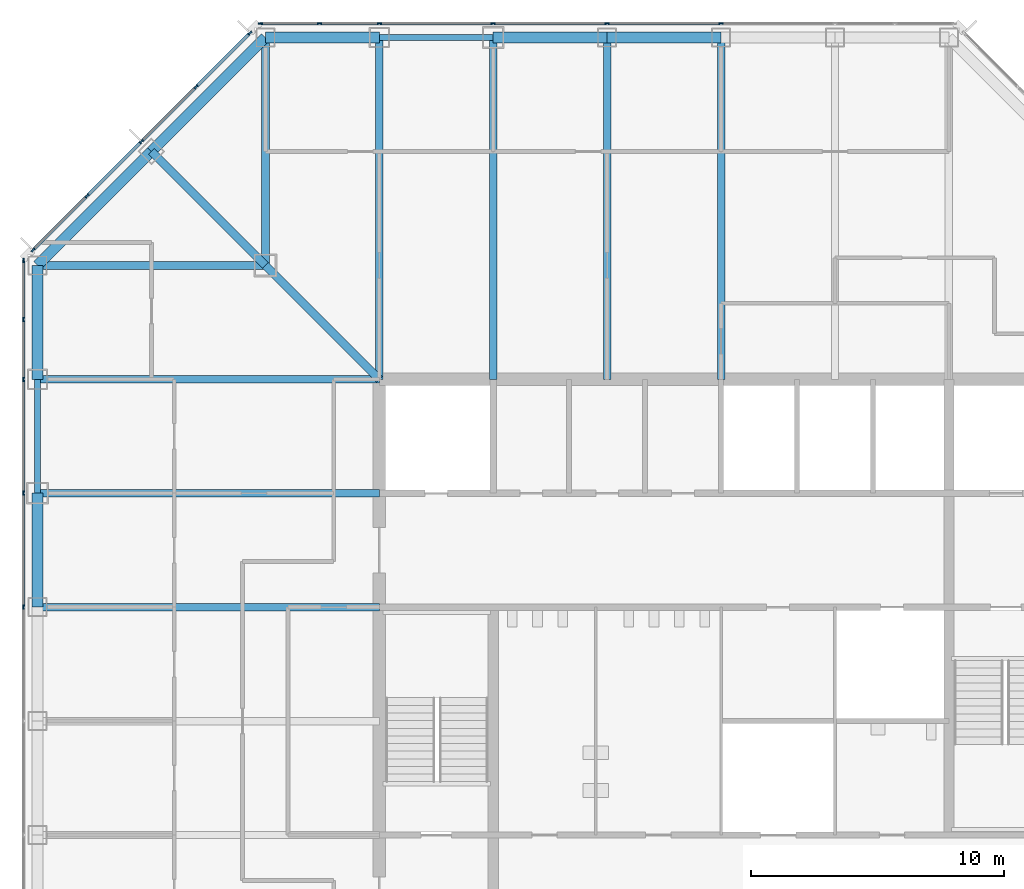
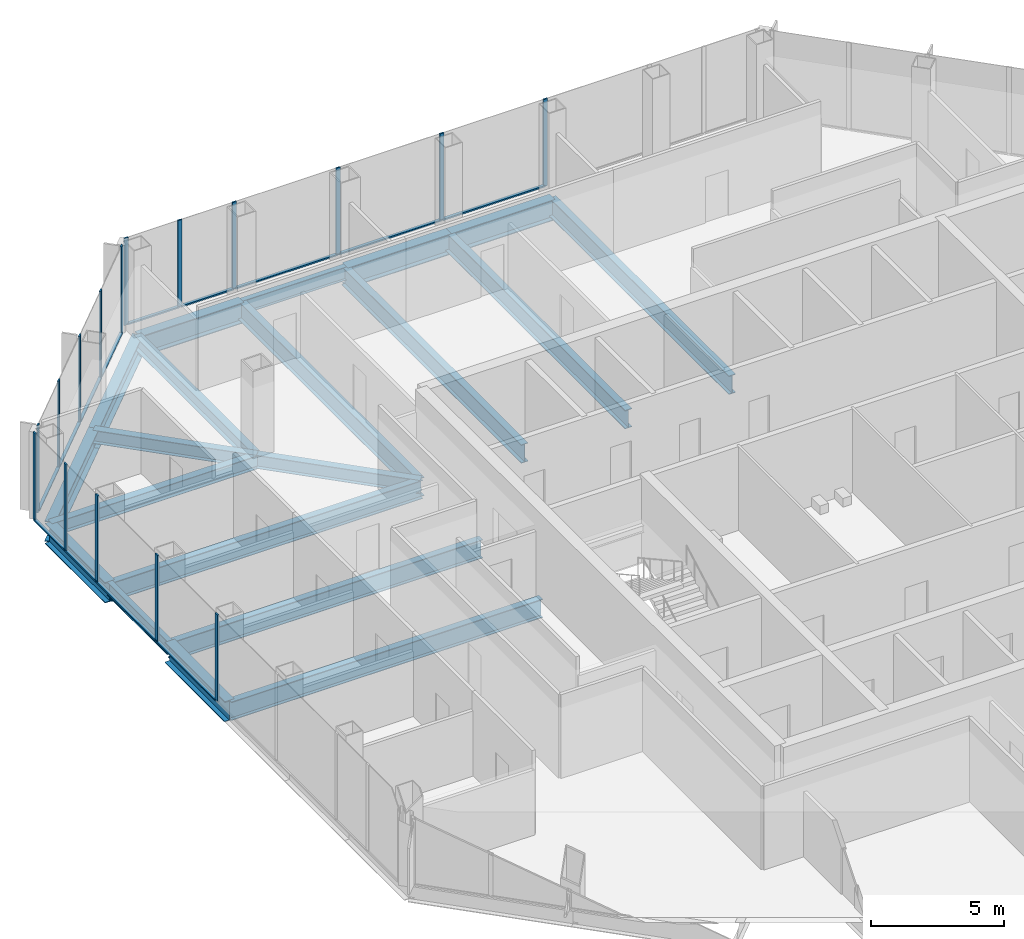
# One storey, part 5 of 13: 29 members, 20 beams, 3 elements without a shape of their own.
"""IFC4 building model written with IfcOpenShell, lengths in metres."""

import ifcopenshell
import ifcopenshell.guid

model = None  # the IFC model being written
_history = None  # IfcOwnerHistory: only IFC2X3 demands one
_inside = {}  # id of a spatial element -> (the spatial element, [elements in it])
_under = {}  # id of a project, library or spatial element -> (it, [spatial elements below it])
_declared = {}  # id of a project -> (the project, [libraries it declares])
_typed = {}  # id of a type object -> (the type object, [elements of that type])
_made_of = {}  # id of a material, layer set ... -> (it, [elements and type objects made of it])


def new_model(schema):
    """Start an empty IFC model of exactly this schema.

    Asked for "IFC4X3", IfcOpenShell would pick the latest addendum, in which some entities
    have other attributes; the version numbers below select the first issue.
    IFC2X3 requires an IfcOwnerHistory on every rooted entity: one is made here for all.
    """
    global model, _history
    if schema == "IFC4X3":
        model = ifcopenshell.file(schema_version=(4, 3, 0, 0))
    else:
        model = ifcopenshell.file(schema=schema)
    _inside.clear()
    _under.clear()
    _declared.clear()
    _typed.clear()
    _made_of.clear()
    _history = None
    if model.schema == "IFC2X3":
        org = make("IfcOrganization", Name="unknown")
        user = make(
            "IfcPersonAndOrganization",
            ThePerson=make("IfcPerson", FamilyName="unknown"),
            TheOrganization=org,
        )
        app = make(
            "IfcApplication",
            ApplicationDeveloper=org,
            Version="unknown",
            ApplicationFullName="unknown",
            ApplicationIdentifier="unknown",
        )
        _history = make(
            "IfcOwnerHistory",
            OwningUser=user,
            OwningApplication=app,
            ChangeAction="ADDED",
            CreationDate=0,
        )
    return model


def make(cls, **values):
    """One entity of the class cls with the attributes given. An attribute that is None is left unset."""
    return model.create_entity(
        cls, **{name: value for name, value in values.items() if value is not None}
    )


def rooted(cls, **values):
    """An entity with a GlobalId (a new one), such as an element, a storey or a relation."""
    return make(cls, GlobalId=ifcopenshell.guid.new(), OwnerHistory=_history, **values)


def si_unit(unit_type, name, prefix=None):
    """IfcSIUnit, for example si_unit("LENGTHUNIT", "METRE", prefix="MILLI")."""
    return make("IfcSIUnit", UnitType=unit_type, Prefix=prefix, Name=name)


def assignment(units):
    """IfcUnitAssignment: the units of a project."""
    return None if units is None else make("IfcUnitAssignment", Units=units)


def point(xyz):
    """IfcCartesianPoint."""
    return None if xyz is None else make("IfcCartesianPoint", Coordinates=xyz)


def direction(xyz):
    """IfcDirection."""
    return None if xyz is None else make("IfcDirection", DirectionRatios=xyz)


def frame(location, z_axis=None, x_axis=None):
    """IfcAxis2Placement3D, a coordinate frame: its origin and axes. An axis left out is left unset."""
    return make(
        "IfcAxis2Placement3D",
        Location=point(location),
        Axis=direction(z_axis),
        RefDirection=direction(x_axis),
    )


def frame_2d(location, x_axis=None):
    """IfcAxis2Placement2D, a coordinate frame in the plane: its origin and x axis."""
    return make(
        "IfcAxis2Placement2D", Location=point(location), RefDirection=direction(x_axis)
    )


def origin():
    """The frame at (0, 0, 0) with its axes left unset."""
    return frame((0.0, 0.0, 0.0))


def origin_2d():
    """The frame at (0, 0) in the plane with its x axis left unset."""
    return frame_2d((0.0, 0.0))


def place(relative_to, where):
    """IfcLocalPlacement: puts the frame where relative to a parent placement (None: the world)."""
    return make(
        "IfcLocalPlacement", PlacementRelTo=relative_to, RelativePlacement=where
    )


def context(
    kind, dimensions, precision=None, world=None, true_north=None, identifier=None
):
    """IfcGeometricRepresentationContext, for example the 3D "Model" context."""
    return make(
        "IfcGeometricRepresentationContext",
        ContextIdentifier=identifier,
        ContextType=kind,
        CoordinateSpaceDimension=dimensions,
        Precision=precision,
        WorldCoordinateSystem=world,
        TrueNorth=true_north,
    )


def subcontext(parent, identifier, kind, view, scale=None):
    """IfcGeometricRepresentationSubContext, for example "Body" below "Model"."""
    return make(
        "IfcGeometricRepresentationSubContext",
        ContextIdentifier=identifier,
        ContextType=kind,
        ParentContext=parent,
        TargetScale=scale,
        TargetView=view,
    )


def project(units=None, contexts=None):
    """IfcProject with its units and contexts."""
    return rooted(
        "IfcProject",
        Name="project",
        RepresentationContexts=contexts,
        UnitsInContext=assignment(units),
    )


def spatial(cls, under=None, at=None, **own):
    """A site, building, storey or space (cls), placed at a placement, below another one or the project."""
    s = rooted(cls, ObjectPlacement=at, **own)
    if under is not None:
        _under.setdefault(under.id(), (under, []))[1].append(s)
    return s


def profile(cls, at=None, kind="AREA", **sizes):
    """A parametric profile (cls). Its sizes go by their IFC names, for example OverallWidth=200.0."""
    return make(cls, ProfileType=kind, Position=at, **sizes)


def rectangle(**sizes):
    """IfcRectangleProfileDef."""
    return profile("IfcRectangleProfileDef", **sizes)


def i_section(**sizes):
    """IfcIShapeProfileDef."""
    return profile("IfcIShapeProfileDef", **sizes)


def extrude(swept, where, along, depth):
    """IfcExtrudedAreaSolid: the profile swept, set in the frame where, extruded along a direction by depth."""
    return make(
        "IfcExtrudedAreaSolid",
        SweptArea=swept,
        Position=where,
        ExtrudedDirection=direction(along),
        Depth=depth,
    )


def shape(context_of_items, identifier, shape_type, items):
    """IfcShapeRepresentation: the items that make up one representation, for example the "Body"."""
    return make(
        "IfcShapeRepresentation",
        ContextOfItems=context_of_items,
        RepresentationIdentifier=identifier,
        RepresentationType=shape_type,
        Items=items,
    )


def material(Name=None, Category=None):
    """IfcMaterial."""
    return make("IfcMaterial", Name=Name, Category=Category)


def material_profile(
    of_material, cross_section, Name=None, Category=None, Priority=None
):
    """IfcMaterialProfile: a cross section and its material."""
    return make(
        "IfcMaterialProfile",
        Name=Name,
        Material=of_material,
        Profile=cross_section,
        Priority=Priority,
        Category=Category,
    )


def profile_set(profiles, Name=None, composite=None):
    """IfcMaterialProfileSet."""
    return make(
        "IfcMaterialProfileSet",
        Name=Name,
        MaterialProfiles=profiles,
        CompositeProfile=composite,
    )


def made_of(thing, what):
    """Note that an element or type object is made of a material, layer set ...; save() writes the relation."""
    if what is not None:
        _made_of.setdefault(what.id(), (what, []))[1].append(thing)
    return thing


def type_object(cls, material=None, **own):
    """A type object (cls), such as IfcWallType, which elements share."""
    return made_of(rooted(cls, **own), material)


def element(
    cls,
    number,
    at=None,
    inside=None,
    cuts=None,
    type_object=None,
    material=None,
    context=None,
    identifier="Body",
    shape_type=None,
    held_by="IfcProductDefinitionShape",
    body=None,
    shapes=None,
    **own,
):
    """One element of the class cls, such as IfcWall. Its Tag is "e" and its number.

    at: its placement. inside: the storey or other place that contains it. cuts: it is an
    opening in that element (IfcRelVoidsElement). A single representation is given by context,
    identifier, shape_type and body (its items); several are given by shapes. held_by: the class
    of the entity that holds the representations. save() writes the other relations.
    """
    e = rooted(cls, Tag="e%d" % number, ObjectPlacement=at, **own)
    if body is not None:
        shapes = [shape(context, identifier, shape_type, body)]
    if shapes is not None:
        e.Representation = make(held_by, Representations=shapes)
    if inside is not None:
        _inside.setdefault(inside.id(), (inside, []))[1].append(e)
    if cuts is not None:
        rooted(
            "IfcRelVoidsElement", RelatingBuildingElement=cuts, RelatedOpeningElement=e
        )
    if type_object is not None:
        _typed.setdefault(type_object.id(), (type_object, []))[1].append(e)
    return made_of(e, material)


def aggregate(whole, parts):
    """IfcRelAggregates: a whole, such as a stair, and the parts it consists of."""
    return rooted("IfcRelAggregates", RelatingObject=whole, RelatedObjects=parts)


def save(model, path):
    """Write the relations noted so far, then the file.

    IfcRelAggregates (storeys below a building ...), IfcRelContainedInSpatialStructure (elements
    in a storey), IfcRelDefinesByType, IfcRelAssociatesMaterial and IfcRelDeclares: one each for
    every whole, place, type object, material and project.
    """
    for whole, parts in _under.values():
        aggregate(whole, parts)
    for where, things in _inside.values():
        rooted(
            "IfcRelContainedInSpatialStructure",
            RelatedElements=things,
            RelatingStructure=where,
        )
    for kind, things in _typed.values():
        rooted("IfcRelDefinesByType", RelatedObjects=things, RelatingType=kind)
    for what, things in _made_of.values():
        rooted("IfcRelAssociatesMaterial", RelatedObjects=things, RelatingMaterial=what)
    for by, libraries in _declared.values():
        rooted("IfcRelDeclares", RelatingContext=by, RelatedDefinitions=libraries)
    model.write(path)


model = new_model("IFC4")

# Units and contexts
model_context = context("Model", 3, precision=1e-05, world=origin(), true_north=direction((0.0, 1.0)))
body_context = subcontext(model_context, "Body", "Model", "MODEL_VIEW")
ifc_project = project(units=[si_unit("LENGTHUNIT", "METRE"), si_unit("AREAUNIT", "SQUARE_METRE"), si_unit("VOLUMEUNIT", "CUBIC_METRE"), si_unit("PLANEANGLEUNIT", "RADIAN"), si_unit("MASSUNIT", "GRAM", prefix="KILO")], contexts=[model_context])

# Site, building, storey
site_placement = place(None, origin())
site = spatial("IfcSite", under=ifc_project, at=site_placement, CompositionType="ELEMENT")
building_placement = place(site_placement, origin())
building = spatial("IfcBuilding", under=site, at=building_placement, Name="Corais Broadcast Tower", CompositionType="ELEMENT")
storey_placement = place(building_placement, frame((0.0, 0.0, 191.60009765625)))
storey = spatial("IfcBuildingStorey", under=building, at=storey_placement, Name="L44", CompositionType="ELEMENT", Elevation=191.60009765625)

# Beams
ifc_material_1 = material(Name="Steel ASTM A572 Grade 50", Category="steel")
ifc_material_profile_1 = material_profile(ifc_material_1, i_section(OverallWidth=0.323974609375, OverallDepth=0.611083984375, WebThickness=0.0126953125, FlangeThickness=0.01904296875, at=origin_2d()), Name="W610x155")
ifc_profile_set_1 = profile_set([ifc_material_profile_1], Name="Steel ASTM A572 Grade 50")
beam_type_1 = type_object("IfcBeamType", Name="Chamfer tie W610x155", PredefinedType="BEAM", material=ifc_profile_set_1)
beam_1_placement = place(storey_placement, frame((4.5, 49.5, -0.465576171875), z_axis=(0.707106781187, -0.707106781187, 0.0), x_axis=(0.707106781187, 0.707106781187, 0.0)))
element("IfcBeam", 1, at=beam_1_placement, inside=storey, type_object=beam_type_1, Name="B5 M/4 to L/5", PredefinedType="BEAM", context=body_context, shape_type="SweptSolid", body=[
    extrude(i_section(OverallWidth=0.323974609375, OverallDepth=0.611083984375, WebThickness=0.0126953125, FlangeThickness=0.01904296875, at=origin_2d()), origin(), (0.0, 0.0, 1.0), 6.364013671875),
])
ifc_material_2 = material(Name="Steel ASTM A572 Grade 50", Category="steel")
ifc_material_profile_2 = material_profile(ifc_material_2, i_section(OverallWidth=0.323974609375, OverallDepth=0.611083984375, WebThickness=0.0126953125, FlangeThickness=0.01904296875, at=origin_2d()), Name="W610x155")
ifc_profile_set_2 = profile_set([ifc_material_profile_2], Name="Steel ASTM A572 Grade 50")
beam_type_2 = type_object("IfcBeamType", Name="Corner diagonal W610x155", PredefinedType="BEAM", material=ifc_profile_set_2)
beam_2_placement = place(storey_placement, frame((9.0, 45.0, -0.465576171875), z_axis=(0.707106781187, -0.707106781187, 0.0), x_axis=(0.707106781187, 0.707106781187, 0.0)))
element("IfcBeam", 2, at=beam_2_placement, inside=storey, type_object=beam_type_2, Name="B6 L/5 to K/6", PredefinedType="BEAM", context=body_context, shape_type="SweptSolid", body=[
    extrude(i_section(OverallWidth=0.323974609375, OverallDepth=0.611083984375, WebThickness=0.0126953125, FlangeThickness=0.01904296875, at=origin_2d()), origin(), (0.0, 0.0, 1.0), 6.364013671875),
])
ifc_material_3 = material(Name="Steel ASTM A572 Grade 50", Category="steel")
ifc_material_profile_3 = material_profile(ifc_material_3, i_section(OverallWidth=0.323974609375, OverallDepth=0.611083984375, WebThickness=0.0126953125, FlangeThickness=0.01904296875, at=origin_2d()), Name="W610x155")
ifc_profile_set_3 = profile_set([ifc_material_profile_3], Name="Steel ASTM A572 Grade 50")
beam_type_3 = type_object("IfcBeamType", Name="Corner girder W610x155", PredefinedType="BEAM", material=ifc_profile_set_3)
for number, where, z_axis, x_axis, name in (
    (3, (0.0, 45.0, -0.465576171875), (1.0, 0.0, 0.0), (0.0, 1.0, 0.0), "B4 L/3 to L/5"),
    (4, (9.0, 54.0, -0.465576171875), (0.0, -1.0, 0.0), (1.0, 0.0, 0.0), "B4 N/5 to L/5"),
):
    element("IfcBeam", number, at=place(storey_placement, frame(where, z_axis=z_axis, x_axis=x_axis)), inside=storey, type_object=beam_type_3, Name=name, PredefinedType="BEAM", context=body_context, shape_type="SweptSolid", body=[
        extrude(i_section(OverallWidth=0.323974609375, OverallDepth=0.611083984375, WebThickness=0.0126953125, FlangeThickness=0.01904296875, at=origin_2d()), origin(), (0.0, 0.0, 1.0), 9.0),
    ])
ifc_material_4 = material(Name="Steel ASTM A572 Grade 50", Category="steel")
ifc_material_profile_4 = material_profile(ifc_material_4, i_section(OverallWidth=0.2939453125, OverallDepth=0.85107421875, WebThickness=0.01611328125, FlangeThickness=0.02685546875, at=origin_2d()), Name="W840x226")
ifc_profile_set_4 = profile_set([ifc_material_profile_4], Name="Steel ASTM A572 Grade 50")
beam_type_4 = type_object("IfcBeamType", Name="Floor beam W840x226", PredefinedType="BEAM", material=ifc_profile_set_4)
for number, where, z_axis, x_axis, name in (
    (5, (0.0, 31.5, -0.585693359375), (1.0, 0.0, 0.0), (0.0, 1.0, 0.0), "B1 H/3 to H/6"),
    (6, (0.0, 36.0, -0.585693359375), (1.0, 0.0, 0.0), (0.0, 1.0, 0.0), "B1 J/3 to J/6"),
    (7, (0.0, 40.5, -0.585693359375), (1.0, 0.0, 0.0), (0.0, 1.0, 0.0), "B1 K/3 to K/6"),
    (8, (13.5, 54.0, -0.585693359375), (0.0, -1.0, 0.0), (1.0, 0.0, 0.0), "B1 N/6 to K/6"),
    (9, (18.0, 54.0, -0.585693359375), (0.0, -1.0, 0.0), (1.0, 0.0, 0.0), "B1 N/7 to K/7"),
    (10, (22.5, 54.0, -0.585693359375), (0.0, -1.0, 0.0), (1.0, 0.0, 0.0), "B1 N/8 to K/8"),
    (11, (27.0, 54.0, -0.585693359375), (0.0, -1.0, 0.0), (1.0, 0.0, 0.0), "B1 N/9 to K/9"),
):
    element("IfcBeam", number, at=place(storey_placement, frame(where, z_axis=z_axis, x_axis=x_axis)), inside=storey, type_object=beam_type_4, Name=name, PredefinedType="BEAM", context=body_context, shape_type="SweptSolid", body=[
        extrude(i_section(OverallWidth=0.2939453125, OverallDepth=0.85107421875, WebThickness=0.01611328125, FlangeThickness=0.02685546875, at=origin_2d()), origin(), (0.0, 0.0, 1.0), 13.5),
    ])

# Curtain wall, members
ifc_material_5 = material(Name="Aluminium and glass", Category="aluminium")
curtain_wall_type = type_object("IfcCurtainWallType", Name="Unitised fritted curtain wall CW2", PredefinedType="NOTDEFINED", material=ifc_material_5)
curtain_wall_1_placement = place(storey_placement, origin())
curtain_wall_1 = element("IfcCurtainWall", 12, at=curtain_wall_1_placement, inside=storey, type_object=curtain_wall_type, Name="CW2 curtain wall L44 2", PredefinedType="NOTDEFINED")
ifc_material_6 = material(Name="Aluminium 6063-T6", Category="aluminium")
ifc_material_profile_5 = material_profile(ifc_material_6, rectangle(XDim=0.06494140625, YDim=0.179931640625, at=origin_2d()), Name="Mullion CW2 65x180")
ifc_profile_set_5 = profile_set([ifc_material_profile_5], Name="Aluminium 6063-T6")
member_type_1 = type_object("IfcMemberType", Name="Mullion CW2 65x180", PredefinedType="MULLION", material=ifc_profile_set_5)
member_1_placement = place(storey_placement, frame((-0.550048828125, 31.5, 0.0), z_axis=(0.0, 0.0, 1.0), x_axis=(-1.0, 0.0, 0.0)))
member_1 = element("IfcMember", 13, at=member_1_placement, type_object=member_type_1, Name="CW2 mullion 5", PredefinedType="MULLION", context=body_context, shape_type="SweptSolid", body=[
    extrude(rectangle(XDim=0.06494140625, YDim=0.179931640625, at=origin_2d()), origin(), (0.0, 0.0, 1.0), 4.0),
])
member_2_placement = place(storey_placement, frame((-0.550048828125, 36.0, 0.0), z_axis=(0.0, 0.0, 1.0), x_axis=(-1.0, 0.0, 0.0)))
member_2 = element("IfcMember", 14, at=member_2_placement, type_object=member_type_1, Name="CW2 mullion 6", PredefinedType="MULLION", context=body_context, shape_type="SweptSolid", body=[
    extrude(rectangle(XDim=0.06494140625, YDim=0.179931640625, at=origin_2d()), origin(), (0.0, 0.0, 1.0), 4.0),
])
member_3_placement = place(storey_placement, frame((-0.550048828125, 40.5, 0.0), z_axis=(0.0, 0.0, 1.0), x_axis=(-1.0, 0.0, 0.0)))
member_3 = element("IfcMember", 15, at=member_3_placement, type_object=member_type_1, Name="CW2 mullion 7", PredefinedType="MULLION", context=body_context, shape_type="SweptSolid", body=[
    extrude(rectangle(XDim=0.06494140625, YDim=0.179931640625, at=origin_2d()), origin(), (0.0, 0.0, 1.0), 4.0),
])
member_4_placement = place(storey_placement, frame((-0.550048828125, 42.864013671875, 0.0), z_axis=(0.0, 0.0, 1.0), x_axis=(-1.0, 0.0, 0.0)))
member_4 = element("IfcMember", 16, at=member_4_placement, type_object=member_type_1, Name="CW2 mullion 8", PredefinedType="MULLION", context=body_context, shape_type="SweptSolid", body=[
    extrude(rectangle(XDim=0.06494140625, YDim=0.179931640625, at=origin_2d()), origin(), (0.0, 0.0, 1.0), 4.0),
])
member_5_placement = place(storey_placement, frame((-0.550048828125, 45.1953125, 0.0), z_axis=(0.0, 0.0, 1.0), x_axis=(-1.0, 0.0, 0.0)))
member_5 = element("IfcMember", 17, at=member_5_placement, type_object=member_type_1, Name="CW2 mullion 9", PredefinedType="MULLION", context=body_context, shape_type="SweptSolid", body=[
    extrude(rectangle(XDim=0.06494140625, YDim=0.179931640625, at=origin_2d()), origin(), (0.0, 0.0, 1.0), 4.0),
])

curtain_wall_2_placement = place(storey_placement, origin())
curtain_wall_2 = element("IfcCurtainWall", 18, at=curtain_wall_2_placement, inside=storey, type_object=curtain_wall_type, Name="CW2 curtain wall L44 3", PredefinedType="NOTDEFINED")
member_6_placement = place(storey_placement, frame((-0.17333984375, 45.6044921875, 0.0), z_axis=(0.0, 0.0, 1.0), x_axis=(-0.707106781187, 0.707106781187, 0.0)))
member_6 = element("IfcMember", 19, at=member_6_placement, type_object=member_type_1, Name="CW2 mullion 1", PredefinedType="MULLION", context=body_context, shape_type="SweptSolid", body=[
    extrude(rectangle(XDim=0.06494140625, YDim=0.179931640625, at=origin_2d()), origin(), (0.0, 0.0, 1.0), 4.0),
])
member_7_placement = place(storey_placement, frame((1.957275390625, 47.735107421875, 0.0), z_axis=(0.0, 0.0, 1.0), x_axis=(-0.707106781187, 0.707106781187, 0.0)))
member_7 = element("IfcMember", 20, at=member_7_placement, type_object=member_type_1, Name="CW2 mullion 2", PredefinedType="MULLION", context=body_context, shape_type="SweptSolid", body=[
    extrude(rectangle(XDim=0.06494140625, YDim=0.179931640625, at=origin_2d()), origin(), (0.0, 0.0, 1.0), 4.0),
])
member_8_placement = place(storey_placement, frame((4.111083984375, 49.888916015625, 0.0), z_axis=(0.0, 0.0, 1.0), x_axis=(-0.707106781187, 0.707106781187, 0.0)))
member_8 = element("IfcMember", 21, at=member_8_placement, type_object=member_type_1, Name="CW2 mullion 3", PredefinedType="MULLION", context=body_context, shape_type="SweptSolid", body=[
    extrude(rectangle(XDim=0.06494140625, YDim=0.179931640625, at=origin_2d()), origin(), (0.0, 0.0, 1.0), 4.0),
])
member_9_placement = place(storey_placement, frame((6.264892578125, 52.042724609375, 0.0), z_axis=(0.0, 0.0, 1.0), x_axis=(-0.707106781187, 0.707106781187, 0.0)))
member_9 = element("IfcMember", 22, at=member_9_placement, type_object=member_type_1, Name="CW2 mullion 4", PredefinedType="MULLION", context=body_context, shape_type="SweptSolid", body=[
    extrude(rectangle(XDim=0.06494140625, YDim=0.179931640625, at=origin_2d()), origin(), (0.0, 0.0, 1.0), 4.0),
])
member_10_placement = place(storey_placement, frame((8.3955078125, 54.17333984375, 0.0), z_axis=(0.0, 0.0, 1.0), x_axis=(-0.707106781187, 0.707106781187, 0.0)))
member_10 = element("IfcMember", 23, at=member_10_placement, type_object=member_type_1, Name="CW2 mullion 5", PredefinedType="MULLION", context=body_context, shape_type="SweptSolid", body=[
    extrude(rectangle(XDim=0.06494140625, YDim=0.179931640625, at=origin_2d()), origin(), (0.0, 0.0, 1.0), 4.0),
])

curtain_wall_3_placement = place(storey_placement, origin())
curtain_wall_3 = element("IfcCurtainWall", 24, at=curtain_wall_3_placement, inside=storey, type_object=curtain_wall_type, Name="CW2 curtain wall L44 4", PredefinedType="NOTDEFINED")
member_11_placement = place(storey_placement, frame((8.8046875, 54.550048828125, 0.0), z_axis=(0.0, 0.0, 1.0), x_axis=(0.0, 1.0, 0.0)))
member_11 = element("IfcMember", 25, at=member_11_placement, type_object=member_type_1, Name="CW2 mullion 1", PredefinedType="MULLION", context=body_context, shape_type="SweptSolid", body=[
    extrude(rectangle(XDim=0.06494140625, YDim=0.179931640625, at=origin_2d()), origin(), (0.0, 0.0, 1.0), 4.0),
])
member_12_placement = place(storey_placement, frame((11.135986328125, 54.550048828125, 0.0), z_axis=(0.0, 0.0, 1.0), x_axis=(0.0, 1.0, 0.0)))
member_12 = element("IfcMember", 26, at=member_12_placement, type_object=member_type_1, Name="CW2 mullion 2", PredefinedType="MULLION", context=body_context, shape_type="SweptSolid", body=[
    extrude(rectangle(XDim=0.06494140625, YDim=0.179931640625, at=origin_2d()), origin(), (0.0, 0.0, 1.0), 4.0),
])
member_13_placement = place(storey_placement, frame((13.5, 54.550048828125, 0.0), z_axis=(0.0, 0.0, 1.0), x_axis=(0.0, 1.0, 0.0)))
member_13 = element("IfcMember", 27, at=member_13_placement, type_object=member_type_1, Name="CW2 mullion 3", PredefinedType="MULLION", context=body_context, shape_type="SweptSolid", body=[
    extrude(rectangle(XDim=0.06494140625, YDim=0.179931640625, at=origin_2d()), origin(), (0.0, 0.0, 1.0), 4.0),
])
member_14_placement = place(storey_placement, frame((18.0, 54.550048828125, 0.0), z_axis=(0.0, 0.0, 1.0), x_axis=(0.0, 1.0, 0.0)))
member_14 = element("IfcMember", 28, at=member_14_placement, type_object=member_type_1, Name="CW2 mullion 4", PredefinedType="MULLION", context=body_context, shape_type="SweptSolid", body=[
    extrude(rectangle(XDim=0.06494140625, YDim=0.179931640625, at=origin_2d()), origin(), (0.0, 0.0, 1.0), 4.0),
])
member_15_placement = place(storey_placement, frame((22.5, 54.550048828125, 0.0), z_axis=(0.0, 0.0, 1.0), x_axis=(0.0, 1.0, 0.0)))
member_15 = element("IfcMember", 29, at=member_15_placement, type_object=member_type_1, Name="CW2 mullion 5", PredefinedType="MULLION", context=body_context, shape_type="SweptSolid", body=[
    extrude(rectangle(XDim=0.06494140625, YDim=0.179931640625, at=origin_2d()), origin(), (0.0, 0.0, 1.0), 4.0),
])
member_16_placement = place(storey_placement, frame((27.0, 54.550048828125, 0.0), z_axis=(0.0, 0.0, 1.0), x_axis=(0.0, 1.0, 0.0)))
member_16 = element("IfcMember", 30, at=member_16_placement, type_object=member_type_1, Name="CW2 mullion 6", PredefinedType="MULLION", context=body_context, shape_type="SweptSolid", body=[
    extrude(rectangle(XDim=0.06494140625, YDim=0.179931640625, at=origin_2d()), origin(), (0.0, 0.0, 1.0), 4.0),
])

# Beams
ifc_material_7 = material(Name="Steel ASTM A572 Grade 50", Category="steel")
ifc_material_profile_6 = material_profile(ifc_material_7, i_section(OverallWidth=0.22900390625, OverallDepth=0.612060546875, WebThickness=0.011962890625, FlangeThickness=0.01953125, at=origin_2d()), Name="W610x125")
ifc_profile_set_6 = profile_set([ifc_material_profile_6], Name="Steel ASTM A572 Grade 50")
beam_type_5 = type_object("IfcBeamType", Name="Pinned spandrel W610x125", PredefinedType="BEAM", material=ifc_profile_set_6)
for number, where, z_axis, x_axis, name in (
    (31, (0.0, 40.5, -0.466064453125), (0.0, -1.0, 0.0), (1.0, 0.0, 0.0), "SB7 K/3 to J/3"),
    (32, (18.0, 54.0, -0.466064453125), (-1.0, 0.0, 0.0), (0.0, -1.0, 0.0), "SB7 N/7 to N/6"),
):
    element("IfcBeam", number, at=place(storey_placement, frame(where, z_axis=z_axis, x_axis=x_axis)), inside=storey, type_object=beam_type_5, Name=name, PredefinedType="BEAM", context=body_context, shape_type="SweptSolid", body=[
        extrude(i_section(OverallWidth=0.22900390625, OverallDepth=0.612060546875, WebThickness=0.011962890625, FlangeThickness=0.01953125, at=origin_2d()), origin(), (0.0, 0.0, 1.0), 4.5),
    ])
ifc_material_8 = material(Name="Steel ASTM A572 Grade 50", Category="steel")
ifc_material_profile_7 = material_profile(ifc_material_8, i_section(OverallWidth=0.4189453125, OverallDepth=0.94189453125, WebThickness=0.022216796875, FlangeThickness=0.03662109375, at=origin_2d()), Name="W920x345")
ifc_profile_set_7 = profile_set([ifc_material_profile_7], Name="Steel ASTM A572 Grade 50")
beam_type_6 = type_object("IfcBeamType", Name="Transfer spandrel W920x345", PredefinedType="BEAM", material=ifc_profile_set_7)
for number, where, z_axis, x_axis, name in (
    (33, (0.0, 36.0, -0.631103515625), (0.0, -1.0, 0.0), (1.0, 0.0, 0.0), "SB4 J/3 to H/3"),
    (34, (0.0, 45.0, -0.631103515625), (0.0, -1.0, 0.0), (1.0, 0.0, 0.0), "SB4 L/3 to K/3"),
    (35, (13.5, 54.0, -0.631103515625), (-1.0, 0.0, 0.0), (0.0, -1.0, 0.0), "SB4 N/6 to N/5"),
    (36, (22.5, 54.0, -0.631103515625), (-1.0, 0.0, 0.0), (0.0, -1.0, 0.0), "SB4 N/8 to N/7"),
    (37, (27.0, 54.0, -0.631103515625), (-1.0, 0.0, 0.0), (0.0, -1.0, 0.0), "SB4 N/9 to N/8"),
):
    element("IfcBeam", number, at=place(storey_placement, frame(where, z_axis=z_axis, x_axis=x_axis)), inside=storey, type_object=beam_type_6, Name=name, PredefinedType="BEAM", context=body_context, shape_type="SweptSolid", body=[
        extrude(i_section(OverallWidth=0.4189453125, OverallDepth=0.94189453125, WebThickness=0.022216796875, FlangeThickness=0.03662109375, at=origin_2d()), origin(), (0.0, 0.0, 1.0), 4.5),
    ])
for number, where, z_axis, x_axis, name in (
    (38, (4.5, 49.5, -0.631103515625), (-0.707106781187, -0.707106781187, 0.0), (0.707106781187, -0.707106781187, 0.0), "SB4 M/4 to L/3"),
    (39, (9.0, 54.0, -0.631103515625), (-0.707106781187, -0.707106781187, 0.0), (0.707106781187, -0.707106781187, 0.0), "SB4 N/5 to M/4"),
):
    element("IfcBeam", number, at=place(storey_placement, frame(where, z_axis=z_axis, x_axis=x_axis)), inside=storey, type_object=beam_type_6, Name=name, PredefinedType="BEAM", context=body_context, shape_type="SweptSolid", body=[
        extrude(i_section(OverallWidth=0.4189453125, OverallDepth=0.94189453125, WebThickness=0.022216796875, FlangeThickness=0.03662109375, at=origin_2d()), origin(), (0.0, 0.0, 1.0), 6.364013671875),
    ])

# Member
ifc_material_9 = material(Name="Aluminium 6063-T6", Category="aluminium")
ifc_material_profile_8 = material_profile(ifc_material_9, rectangle(XDim=0.1298828125, YDim=0.06494140625, at=origin_2d()), Name="Transom CW2 65x130")
ifc_profile_set_8 = profile_set([ifc_material_profile_8], Name="Aluminium 6063-T6")
member_type_2 = type_object("IfcMemberType", Name="Transom CW2 65x130", PredefinedType="USERDEFINED", material=ifc_profile_set_8)
member_17_placement = place(storey_placement, frame((-0.550048828125, 31.532470703125, 0.032470703125), z_axis=(0.0, 1.0, 0.0), x_axis=(-1.0, 0.0, 0.0)))
member_17 = element("IfcMember", 40, at=member_17_placement, type_object=member_type_2, Name="CW2 transom 5.1", ObjectType="TRANSOM", PredefinedType="USERDEFINED", context=body_context, shape_type="SweptSolid", body=[
    extrude(rectangle(XDim=0.1298828125, YDim=0.06494140625, at=origin_2d()), origin(), (0.0, 0.0, 1.0), 4.43505859375),
])

member_18_placement = place(storey_placement, frame((-0.550048828125, 36.032470703125, 0.032470703125), z_axis=(0.0, 1.0, 0.0), x_axis=(-1.0, 0.0, 0.0)))
member_18 = element("IfcMember", 41, at=member_18_placement, type_object=member_type_2, Name="CW2 transom 6.1", ObjectType="TRANSOM", PredefinedType="USERDEFINED", context=body_context, shape_type="SweptSolid", body=[
    extrude(rectangle(XDim=0.1298828125, YDim=0.06494140625, at=origin_2d()), origin(), (0.0, 0.0, 1.0), 4.43505859375),
])

member_19_placement = place(storey_placement, frame((-0.550048828125, 40.532470703125, 0.032470703125), z_axis=(0.0, 1.0, 0.0), x_axis=(-1.0, 0.0, 0.0)))
member_19 = element("IfcMember", 42, at=member_19_placement, type_object=member_type_2, Name="CW2 transom 7.1", ObjectType="TRANSOM", PredefinedType="USERDEFINED", context=body_context, shape_type="SweptSolid", body=[
    extrude(rectangle(XDim=0.1298828125, YDim=0.06494140625, at=origin_2d()), origin(), (0.0, 0.0, 1.0), 2.298828125),
])

member_20_placement = place(storey_placement, frame((-0.550048828125, 42.896484375, 0.032470703125), z_axis=(0.0, 1.0, 0.0), x_axis=(-1.0, 0.0, 0.0)))
member_20 = element("IfcMember", 43, at=member_20_placement, type_object=member_type_2, Name="CW2 transom 8.1", ObjectType="TRANSOM", PredefinedType="USERDEFINED", context=body_context, shape_type="SweptSolid", body=[
    extrude(rectangle(XDim=0.1298828125, YDim=0.06494140625, at=origin_2d()), origin(), (0.0, 0.0, 1.0), 2.266357421875),
])

aggregate(curtain_wall_1, [member_1, member_2, member_3, member_4, member_5, member_17, member_18, member_19, member_20])

member_21_placement = place(storey_placement, frame((-0.150390625, 45.62744140625, 0.032470703125), z_axis=(0.707106781187, 0.707106781187, 0.0), x_axis=(-0.707106781187, 0.707106781187, 0.0)))
member_21 = element("IfcMember", 44, at=member_21_placement, type_object=member_type_2, Name="CW2 transom 1.1", ObjectType="TRANSOM", PredefinedType="USERDEFINED", context=body_context, shape_type="SweptSolid", body=[
    extrude(rectangle(XDim=0.1298828125, YDim=0.06494140625, at=origin_2d()), origin(), (0.0, 0.0, 1.0), 2.9482421875),
])

member_22_placement = place(storey_placement, frame((1.980224609375, 47.758056640625, 0.032470703125), z_axis=(0.707106781187, 0.707106781187, 0.0), x_axis=(-0.707106781187, 0.707106781187, 0.0)))
member_22 = element("IfcMember", 45, at=member_22_placement, type_object=member_type_2, Name="CW2 transom 2.1", ObjectType="TRANSOM", PredefinedType="USERDEFINED", context=body_context, shape_type="SweptSolid", body=[
    extrude(rectangle(XDim=0.1298828125, YDim=0.06494140625, at=origin_2d()), origin(), (0.0, 0.0, 1.0), 2.98095703125),
])

member_23_placement = place(storey_placement, frame((4.134033203125, 49.911865234375, 0.032470703125), z_axis=(0.707106781187, 0.707106781187, 0.0), x_axis=(-0.707106781187, 0.707106781187, 0.0)))
member_23 = element("IfcMember", 46, at=member_23_placement, type_object=member_type_2, Name="CW2 transom 3.1", ObjectType="TRANSOM", PredefinedType="USERDEFINED", context=body_context, shape_type="SweptSolid", body=[
    extrude(rectangle(XDim=0.1298828125, YDim=0.06494140625, at=origin_2d()), origin(), (0.0, 0.0, 1.0), 2.98095703125),
])

member_24_placement = place(storey_placement, frame((6.287841796875, 52.065673828125, 0.032470703125), z_axis=(0.707106781187, 0.707106781187, 0.0), x_axis=(-0.707106781187, 0.707106781187, 0.0)))
member_24 = element("IfcMember", 47, at=member_24_placement, type_object=member_type_2, Name="CW2 transom 4.1", ObjectType="TRANSOM", PredefinedType="USERDEFINED", context=body_context, shape_type="SweptSolid", body=[
    extrude(rectangle(XDim=0.1298828125, YDim=0.06494140625, at=origin_2d()), origin(), (0.0, 0.0, 1.0), 2.9482421875),
])

aggregate(curtain_wall_2, [member_6, member_7, member_8, member_9, member_10, member_21, member_22, member_23, member_24])

member_25_placement = place(storey_placement, frame((8.837158203125, 54.550048828125, 0.032470703125), z_axis=(1.0, 0.0, 0.0), x_axis=(0.0, 1.0, 0.0)))
member_25 = element("IfcMember", 48, at=member_25_placement, type_object=member_type_2, Name="CW2 transom 1.1", ObjectType="TRANSOM", PredefinedType="USERDEFINED", context=body_context, shape_type="SweptSolid", body=[
    extrude(rectangle(XDim=0.1298828125, YDim=0.06494140625, at=origin_2d()), origin(), (0.0, 0.0, 1.0), 2.266357421875),
])

member_26_placement = place(storey_placement, frame((11.168701171875, 54.550048828125, 0.032470703125), z_axis=(1.0, 0.0, 0.0), x_axis=(0.0, 1.0, 0.0)))
member_26 = element("IfcMember", 49, at=member_26_placement, type_object=member_type_2, Name="CW2 transom 2.1", ObjectType="TRANSOM", PredefinedType="USERDEFINED", context=body_context, shape_type="SweptSolid", body=[
    extrude(rectangle(XDim=0.1298828125, YDim=0.06494140625, at=origin_2d()), origin(), (0.0, 0.0, 1.0), 2.298828125),
])

member_27_placement = place(storey_placement, frame((13.532470703125, 54.550048828125, 0.032470703125), z_axis=(1.0, 0.0, 0.0), x_axis=(0.0, 1.0, 0.0)))
member_27 = element("IfcMember", 50, at=member_27_placement, type_object=member_type_2, Name="CW2 transom 3.1", ObjectType="TRANSOM", PredefinedType="USERDEFINED", context=body_context, shape_type="SweptSolid", body=[
    extrude(rectangle(XDim=0.1298828125, YDim=0.06494140625, at=origin_2d()), origin(), (0.0, 0.0, 1.0), 4.43505859375),
])

member_28_placement = place(storey_placement, frame((18.032470703125, 54.550048828125, 0.032470703125), z_axis=(1.0, 0.0, 0.0), x_axis=(0.0, 1.0, 0.0)))
member_28 = element("IfcMember", 51, at=member_28_placement, type_object=member_type_2, Name="CW2 transom 4.1", ObjectType="TRANSOM", PredefinedType="USERDEFINED", context=body_context, shape_type="SweptSolid", body=[
    extrude(rectangle(XDim=0.1298828125, YDim=0.06494140625, at=origin_2d()), origin(), (0.0, 0.0, 1.0), 4.43505859375),
])

member_29_placement = place(storey_placement, frame((22.532470703125, 54.550048828125, 0.032470703125), z_axis=(1.0, 0.0, 0.0), x_axis=(0.0, 1.0, 0.0)))
member_29 = element("IfcMember", 52, at=member_29_placement, type_object=member_type_2, Name="CW2 transom 5.1", ObjectType="TRANSOM", PredefinedType="USERDEFINED", context=body_context, shape_type="SweptSolid", body=[
    extrude(rectangle(XDim=0.1298828125, YDim=0.06494140625, at=origin_2d()), origin(), (0.0, 0.0, 1.0), 4.43505859375),
])

aggregate(curtain_wall_3, [member_11, member_12, member_13, member_14, member_15, member_16, member_25, member_26, member_27, member_28, member_29])

save(model, "model.ifc")
